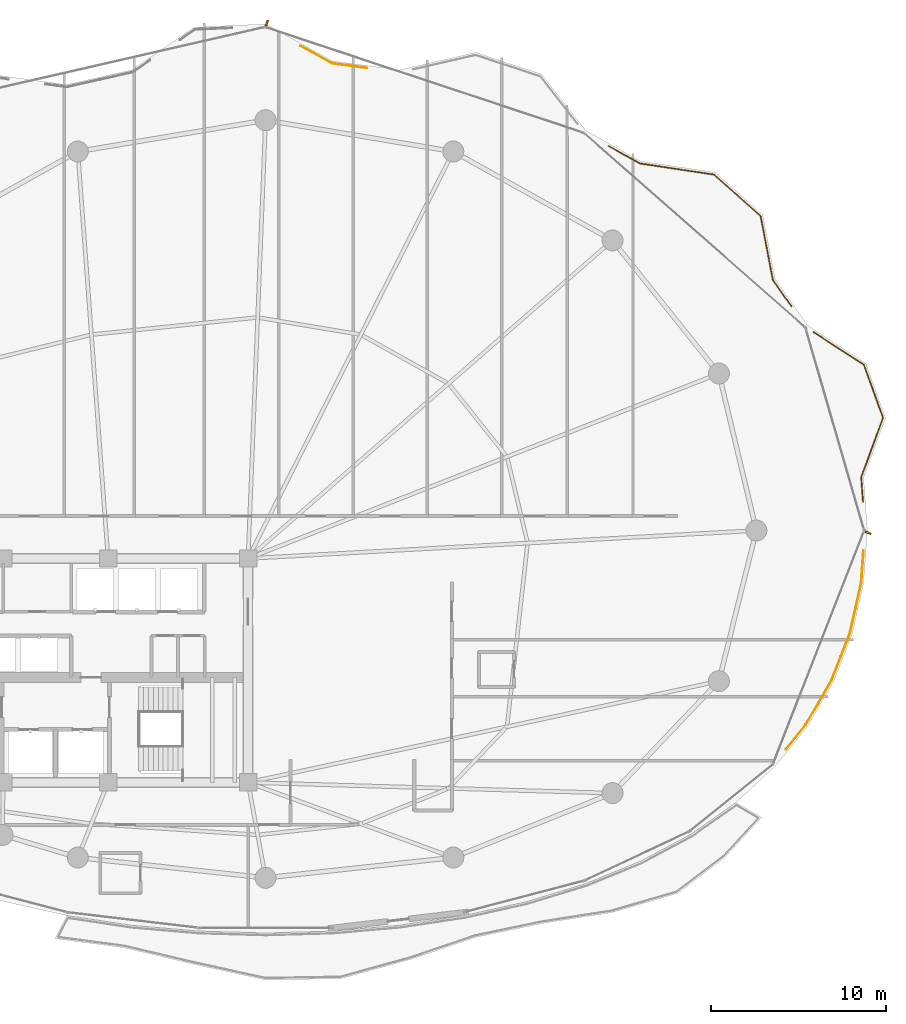
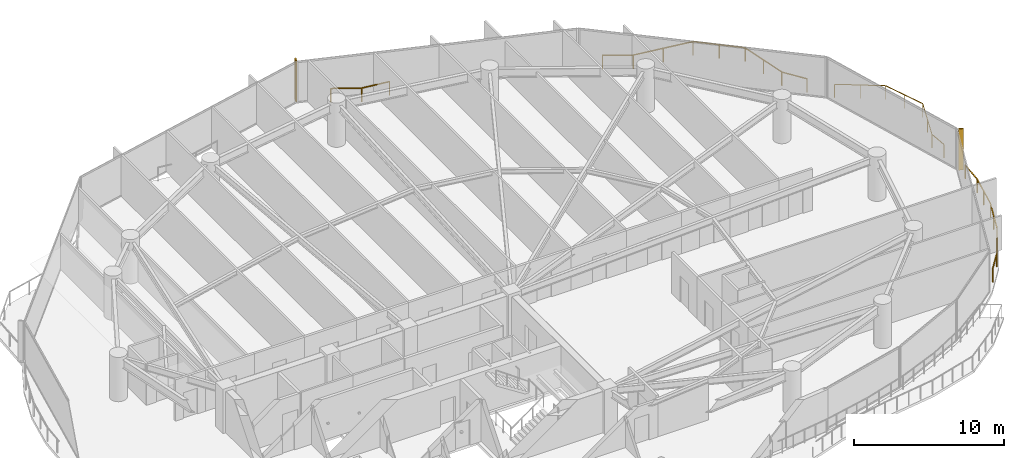
# One storey, part 34 of 34: 4 railings, 2 shading devices.
"""IFC4 building model written with IfcOpenShell, lengths in metres."""

from ifc_helpers import new_model, si_unit, direction, frame, origin, origin_2d, place, context, subcontext, project, spatial, rectangle, extrude, material, type_object, element, save


model = new_model("IFC4")

# Units and contexts
model_context = context("Model", 3, precision=1e-05, world=origin(), true_north=direction((0.0, 1.0)))
body_context = subcontext(model_context, "Body", "Model", "MODEL_VIEW")
ifc_project = project(units=[si_unit("LENGTHUNIT", "METRE"), si_unit("AREAUNIT", "SQUARE_METRE"), si_unit("VOLUMEUNIT", "CUBIC_METRE"), si_unit("PLANEANGLEUNIT", "RADIAN"), si_unit("MASSUNIT", "GRAM", prefix="KILO")], contexts=[model_context])

# Site, building, storey
site_placement = place(None, origin())
site = spatial("IfcSite", under=ifc_project, at=site_placement, CompositionType="ELEMENT")
building_placement = place(site_placement, origin())
building = spatial("IfcBuilding", under=site, at=building_placement, Name="Kazevale Care Tower and Concert Hall", CompositionType="ELEMENT")
storey_placement = place(building_placement, frame((0.0, 0.0, 160.199951171875)))
storey = spatial("IfcBuildingStorey", under=building, at=storey_placement, Name="L42", CompositionType="ELEMENT", Elevation=160.199951171875)

# Railings
ifc_material_1 = material(Name="Anodised Bronze Aluminium and Laminated Glass", Category="aluminium")
railing_type = type_object("IfcRailingType", Name="Balcony and Terrace Balustrade 1120", PredefinedType="BALUSTRADE", material=ifc_material_1)
railing_1_placement = place(storey_placement, frame((46.9970703125, 65.69091796875, 0.0)))
element("IfcRailing", 1, at=railing_1_placement, inside=storey, type_object=railing_type, Name="rail:L42:perim:7", PredefinedType="BALUSTRADE", context=body_context, shape_type="SweptSolid", body=[
    extrude(rectangle(XDim=0.048095703125, YDim=0.048095703125, at=origin_2d()), frame((0.0, 0.0, 1.09619140625), z_axis=(0.87612356574, -0.482086607939, 0.0), x_axis=(0.482086607939, 0.87612356574, 0.0)), (0.0, 0.0, 1.0), 2.065673828125),
    extrude(rectangle(XDim=0.048095703125, YDim=0.048095703125, at=origin_2d()), frame((1.809814453125, -0.995849609375, 1.09619140625), z_axis=(0.991221543474, -0.132211390405, 0.0), x_axis=(0.132211390405, 0.991221543474, 0.0)), (0.0, 0.0, 1.0), 2.0126953125),
    extrude(rectangle(XDim=0.0419921875, YDim=0.0419921875, at=origin_2d()), origin(), (0.0, 0.0, 1.0), 1.072021484375),
    extrude(rectangle(XDim=0.0419921875, YDim=0.0419921875, at=origin_2d()), frame((1.809814453125, -0.995849609375, 0.0)), (0.0, 0.0, 1.0), 1.072021484375),
    extrude(rectangle(XDim=0.0419921875, YDim=0.0419921875, at=origin_2d()), frame((3.804931640625, -1.261962890625, 0.0)), (0.0, 0.0, 1.0), 1.072021484375),
])
railing_2_placement = place(storey_placement, frame((64.614990234375, 59.969970703125, 0.0)))
element("IfcRailing", 2, at=railing_2_placement, inside=storey, type_object=railing_type, Name="rail:L42:perim:9", PredefinedType="BALUSTRADE", context=body_context, shape_type="SweptSolid", body=[
    extrude(rectangle(XDim=0.048095703125, YDim=0.048095703125, at=origin_2d()), frame((0.0, 0.0, 1.09619140625), z_axis=(0.873734672104, -0.486402840003, 0.0), x_axis=(0.486402840003, 0.873734672104, 0.0)), (0.0, 0.0, 1.0), 2.04541015625),
    extrude(rectangle(XDim=0.048095703125, YDim=0.048095703125, at=origin_2d()), frame((1.787109375, -0.994873046875, 1.09619140625), z_axis=(0.988889933801, -0.148649584013, 0.0), x_axis=(0.148649584013, 0.988889933801, 0.0)), (0.0, 0.0, 1.0), 4.28662109375),
    extrude(rectangle(XDim=0.048095703125, YDim=0.048095703125, at=origin_2d()), frame((6.026123046875, -1.632080078125, 1.09619140625), z_axis=(0.746657358329, -0.66520883131, 0.0), x_axis=(0.66520883131, 0.746657358329, 0.0)), (0.0, 0.0, 1.0), 3.549072265625),
    extrude(rectangle(XDim=0.048095703125, YDim=0.048095703125, at=origin_2d()), frame((8.676025390625, -3.992919921875, 1.09619140625), z_axis=(0.188517658656, -0.982069800154, 0.0), x_axis=(0.982069800154, 0.188517658656, 0.0)), (0.0, 0.0, 1.0), 3.73486328125),
    extrude(rectangle(XDim=0.048095703125, YDim=0.048095703125, at=origin_2d()), frame((9.380126953125, -7.660888671875, 1.09619140625), z_axis=(0.575885416581, -0.817530419599, 0.0), x_axis=(0.817530419599, 0.575885416581, 0.0)), (0.0, 0.0, 1.0), 1.850830078125),
    extrude(rectangle(XDim=0.0419921875, YDim=0.0419921875, at=origin_2d()), origin(), (0.0, 0.0, 1.0), 1.072021484375),
    extrude(rectangle(XDim=0.0419921875, YDim=0.0419921875, at=origin_2d()), frame((1.787109375, -0.994873046875, 0.0)), (0.0, 0.0, 1.0), 1.072021484375),
    extrude(rectangle(XDim=0.0419921875, YDim=0.0419921875, at=origin_2d()), frame((3.90673828125, -1.3134765625, 0.0)), (0.0, 0.0, 1.0), 1.072021484375),
    extrude(rectangle(XDim=0.0419921875, YDim=0.0419921875, at=origin_2d()), frame((6.026123046875, -1.632080078125, 0.0)), (0.0, 0.0, 1.0), 1.072021484375),
    extrude(rectangle(XDim=0.0419921875, YDim=0.0419921875, at=origin_2d()), frame((7.35107421875, -2.8125, 0.0)), (0.0, 0.0, 1.0), 1.072021484375),
    extrude(rectangle(XDim=0.0419921875, YDim=0.0419921875, at=origin_2d()), frame((8.676025390625, -3.992919921875, 0.0)), (0.0, 0.0, 1.0), 1.072021484375),
    extrude(rectangle(XDim=0.0419921875, YDim=0.0419921875, at=origin_2d()), frame((9.028076171875, -5.826904296875, 0.0)), (0.0, 0.0, 1.0), 1.072021484375),
    extrude(rectangle(XDim=0.0419921875, YDim=0.0419921875, at=origin_2d()), frame((9.380126953125, -7.660888671875, 0.0)), (0.0, 0.0, 1.0), 1.072021484375),
    extrude(rectangle(XDim=0.0419921875, YDim=0.0419921875, at=origin_2d()), frame((10.446044921875, -9.174072265625, 0.0)), (0.0, 0.0, 1.0), 1.072021484375),
])
railing_3_placement = place(storey_placement, frame((79.176025390625, 36.844970703125, 0.0)))
element("IfcRailing", 3, at=railing_3_placement, inside=storey, type_object=railing_type, Name="rail:L42:perim:10", PredefinedType="BALUSTRADE", context=body_context, shape_type="SweptSolid", body=[
    extrude(rectangle(XDim=0.048095703125, YDim=0.048095703125, at=origin_2d()), frame((0.0, 0.0, 1.09619140625), z_axis=(-0.071578588161, -0.997434963151, 0.0), x_axis=(0.997434963151, -0.071578588161, 0.0)), (0.0, 0.0, 1.0), 1.83154296875),
    extrude(rectangle(XDim=0.048095703125, YDim=0.048095703125, at=origin_2d()), frame((-0.131103515625, -1.826904296875, 1.09619140625), z_axis=(-0.217745961145, -0.9760054797, 0.0), x_axis=(0.9760054797, -0.217745961145, 0.0)), (0.0, 0.0, 1.0), 2.94775390625),
    extrude(rectangle(XDim=0.048095703125, YDim=0.048095703125, at=origin_2d()), frame((-0.77294921875, -4.703857421875, 1.09619140625), z_axis=(-0.363468066155, -0.931606657815, 0.0), x_axis=(0.931606657815, -0.363468066155, 0.0)), (0.0, 0.0, 1.0), 2.91650390625),
    extrude(rectangle(XDim=0.048095703125, YDim=0.048095703125, at=origin_2d()), frame((-1.8330078125, -7.4208984375, 1.09619140625), z_axis=(-0.502610267332, -0.864513111047, 0.0), x_axis=(0.864513111047, -0.502610267332, 0.0)), (0.0, 0.0, 1.0), 2.9150390625),
    extrude(rectangle(XDim=0.048095703125, YDim=0.048095703125, at=origin_2d()), frame((-3.298095703125, -9.94091796875, 1.09619140625), z_axis=(-0.628318296441, -0.777956373043, 0.0), x_axis=(0.777956373043, -0.628318296441, 0.0)), (0.0, 0.0, 1.0), 1.812744140625),
    extrude(rectangle(XDim=0.0419921875, YDim=0.0419921875, at=origin_2d()), origin(), (0.0, 0.0, 1.0), 1.072021484375),
    extrude(rectangle(XDim=0.0419921875, YDim=0.0419921875, at=origin_2d()), frame((-0.131103515625, -1.826904296875, 0.0)), (0.0, 0.0, 1.0), 1.072021484375),
    extrude(rectangle(XDim=0.0419921875, YDim=0.0419921875, at=origin_2d()), frame((-0.4521484375, -3.265380859375, 0.0)), (0.0, 0.0, 1.0), 1.072021484375),
    extrude(rectangle(XDim=0.0419921875, YDim=0.0419921875, at=origin_2d()), frame((-0.77294921875, -4.703857421875, 0.0)), (0.0, 0.0, 1.0), 1.072021484375),
    extrude(rectangle(XDim=0.0419921875, YDim=0.0419921875, at=origin_2d()), frame((-1.302978515625, -6.0625, 0.0)), (0.0, 0.0, 1.0), 1.072021484375),
    extrude(rectangle(XDim=0.0419921875, YDim=0.0419921875, at=origin_2d()), frame((-1.8330078125, -7.4208984375, 0.0)), (0.0, 0.0, 1.0), 1.072021484375),
    extrude(rectangle(XDim=0.0419921875, YDim=0.0419921875, at=origin_2d()), frame((-2.5654296875, -8.680908203125, 0.0)), (0.0, 0.0, 1.0), 1.072021484375),
    extrude(rectangle(XDim=0.0419921875, YDim=0.0419921875, at=origin_2d()), frame((-3.298095703125, -9.94091796875, 0.0)), (0.0, 0.0, 1.0), 1.072021484375),
    extrude(rectangle(XDim=0.0419921875, YDim=0.0419921875, at=origin_2d()), frame((-4.43701171875, -11.35107421875, 0.0)), (0.0, 0.0, 1.0), 1.072021484375),
])
railing_4_placement = place(storey_placement, frame((76.3359375, 49.324951171875, 0.0)))
element("IfcRailing", 4, at=railing_4_placement, inside=storey, type_object=railing_type, Name="rail:L42:perim:11", PredefinedType="BALUSTRADE", context=body_context, shape_type="SweptSolid", body=[
    extrude(rectangle(XDim=0.048095703125, YDim=0.048095703125, at=origin_2d()), frame((0.0, 0.0, 1.09619140625), z_axis=(0.838906479955, -0.544275590018, 0.0), x_axis=(0.544275590018, 0.838906479955, 0.0)), (0.0, 0.0, 1.0), 3.408203125),
    extrude(rectangle(XDim=0.048095703125, YDim=0.048095703125, at=origin_2d()), frame((2.859130859375, -1.85498046875, 1.09619140625), z_axis=(0.340056192401, -0.940405118026, 0.0), x_axis=(0.940405118026, 0.340056192401, 0.0)), (0.0, 0.0, 1.0), 3.219970703125),
    extrude(rectangle(XDim=0.048095703125, YDim=0.048095703125, at=origin_2d()), frame((3.9541015625, -4.883056640625, 1.09619140625), z_axis=(-0.344686514971, -0.938717852391, 0.0), x_axis=(0.938717852391, -0.344686514971, 0.0)), (0.0, 0.0, 1.0), 3.620849609375),
    extrude(rectangle(XDim=0.048095703125, YDim=0.048095703125, at=origin_2d()), frame((2.7060546875, -8.281982421875, 1.09619140625), z_axis=(0.071504807896, -0.997440255077, 0.0), x_axis=(0.997440255077, 0.071504807896, 0.0)), (0.0, 0.0, 1.0), 1.41357421875),
    extrude(rectangle(XDim=0.0419921875, YDim=0.0419921875, at=origin_2d()), origin(), (0.0, 0.0, 1.0), 1.072021484375),
    extrude(rectangle(XDim=0.0419921875, YDim=0.0419921875, at=origin_2d()), frame((1.4296875, -0.927490234375, 0.0)), (0.0, 0.0, 1.0), 1.072021484375),
    extrude(rectangle(XDim=0.0419921875, YDim=0.0419921875, at=origin_2d()), frame((2.859130859375, -1.85498046875, 0.0)), (0.0, 0.0, 1.0), 1.072021484375),
    extrude(rectangle(XDim=0.0419921875, YDim=0.0419921875, at=origin_2d()), frame((3.40673828125, -3.369140625, 0.0)), (0.0, 0.0, 1.0), 1.072021484375),
    extrude(rectangle(XDim=0.0419921875, YDim=0.0419921875, at=origin_2d()), frame((3.9541015625, -4.883056640625, 0.0)), (0.0, 0.0, 1.0), 1.072021484375),
    extrude(rectangle(XDim=0.0419921875, YDim=0.0419921875, at=origin_2d()), frame((3.330078125, -6.58251953125, 0.0)), (0.0, 0.0, 1.0), 1.072021484375),
    extrude(rectangle(XDim=0.0419921875, YDim=0.0419921875, at=origin_2d()), frame((2.7060546875, -8.281982421875, 0.0)), (0.0, 0.0, 1.0), 1.072021484375),
    extrude(rectangle(XDim=0.0419921875, YDim=0.0419921875, at=origin_2d()), frame((2.80712890625, -9.69189453125, 0.0)), (0.0, 0.0, 1.0), 1.072021484375),
])

# Shading devices
ifc_material_2 = material(Name="Anodised Bronze Aluminium", Category="aluminium")
shading_device_type = type_object("IfcShadingDeviceType", Name="Waist Anodised Bronze-Stone Fin FIN-02", PredefinedType="USERDEFINED", material=ifc_material_2)
for number, where, z_axis, x_axis, name in (
    (5, (79.44384765625, 37.869384765625, 0.0), (0.0, 0.0, 1.0), (0.931373876365, -0.364064146031, 0.0), "cw:L42:f01:fin"),
    (6, (45.07666015625, 66.998291015625, 0.0), (0.0, 0.0, 1.0), (0.314820866332, 0.949151106053, 0.0), "cw:L42:f16:fin"),
):
    element("IfcShadingDevice", number, at=place(storey_placement, frame(where, z_axis=z_axis, x_axis=x_axis)), inside=storey, type_object=shading_device_type, Name=name, ObjectType="FIN", PredefinedType="USERDEFINED", context=body_context, shape_type="SweptSolid", body=[
        extrude(rectangle(XDim=0.340087890625, YDim=0.10009765625, at=origin_2d()), origin(), (0.0, 0.0, 1.0), 3.360107421875),
    ])

save(model, "model.ifc")
